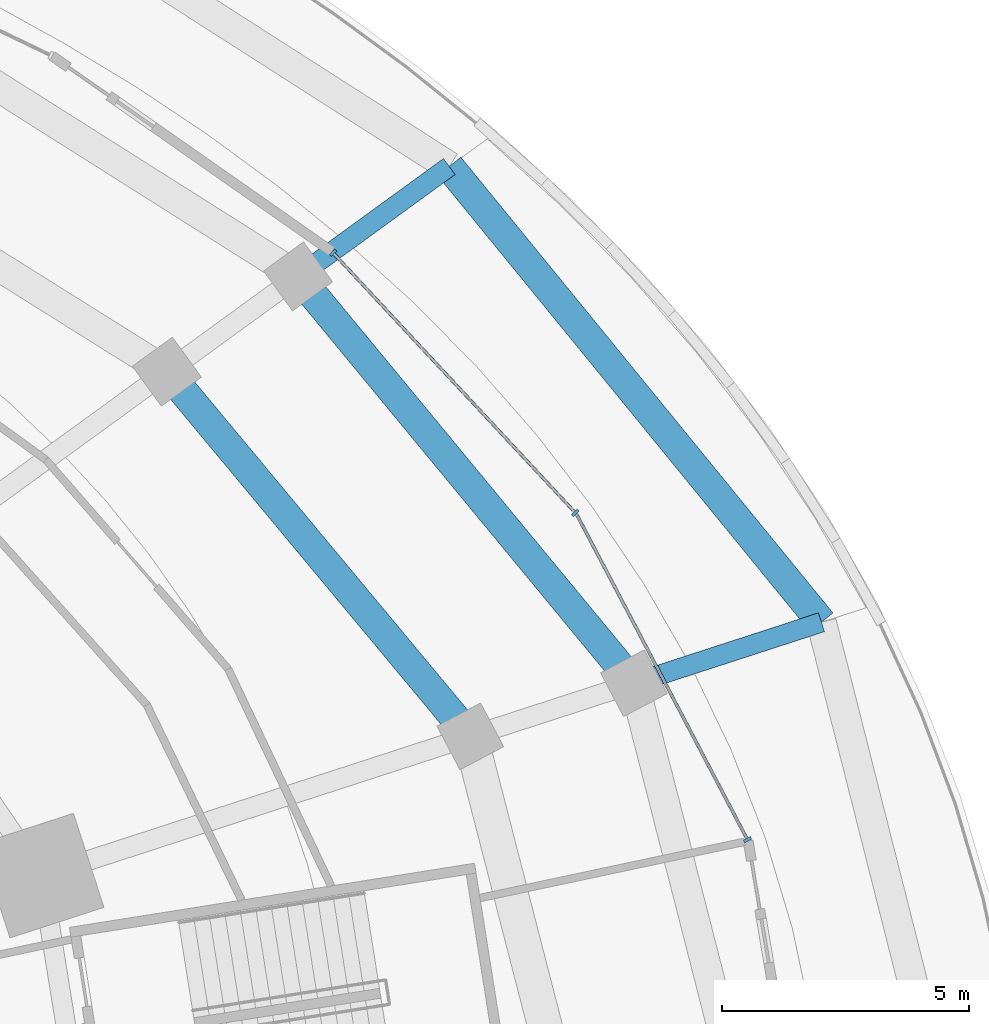
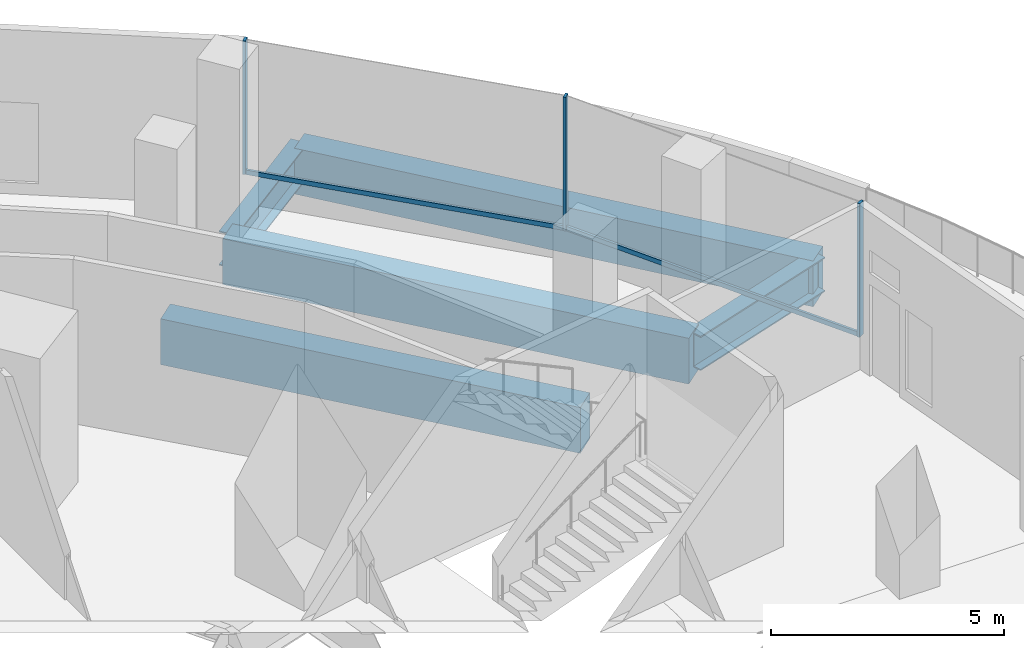
# One storey, part 15 of 27: 5 beams, 5 members, 1 element without a shape of its own.
"""IFC4 building model written with IfcOpenShell, lengths in metres."""

from ifc_helpers import new_model, si_unit, direction, frame, origin, origin_2d, place, context, subcontext, project, spatial, rectangle, i_section, extrude, material, material_profile, profile_set, type_object, element, aggregate, save


model = new_model("IFC4")

# Units and contexts
model_context = context("Model", 3, precision=1e-05, world=origin(), true_north=direction((0.0, 1.0)))
body_context = subcontext(model_context, "Body", "Model", "MODEL_VIEW")
ifc_project = project(units=[si_unit("LENGTHUNIT", "METRE"), si_unit("AREAUNIT", "SQUARE_METRE"), si_unit("VOLUMEUNIT", "CUBIC_METRE"), si_unit("PLANEANGLEUNIT", "RADIAN"), si_unit("MASSUNIT", "GRAM", prefix="KILO")], contexts=[model_context])

# Site, building, storey
site_placement = place(None, origin())
site = spatial("IfcSite", under=ifc_project, at=site_placement, CompositionType="ELEMENT")
building_placement = place(site_placement, origin())
building = spatial("IfcBuilding", under=site, at=building_placement, Name="Marramba Exchange Tower", CompositionType="ELEMENT")
storey_placement = place(building_placement, frame((0.0, 0.0, 10.60009765625)))
storey = spatial("IfcBuildingStorey", under=building, at=storey_placement, Name="L02", CompositionType="ELEMENT", Elevation=10.60009765625)

# Beams
ifc_material_1 = material(Name="Concrete N50", Category="concrete")
ifc_material_profile_1 = material_profile(ifc_material_1, rectangle(XDim=0.60009765625, YDim=1.199951171875, at=origin_2d()), Name="RC 600x1200")
ifc_profile_set_1 = profile_set([ifc_material_profile_1], Name="Concrete N50")
beam_type_1 = type_object("IfcBeamType", Name="Edge beam RC 600x1200 N50", PredefinedType="SPANDREL", material=ifc_profile_set_1)
beam_1_placement = place(storey_placement, frame((36.5888671875, 11.888427734375, -0.85009765625), z_axis=(-0.632507305582, 0.774554393432, 0.0), x_axis=(-0.774554393432, -0.632507305582, 0.0)))
element("IfcBeam", 1, at=beam_1_placement, inside=storey, type_object=beam_type_1, Name="Edge beam L02 P1C02", PredefinedType="SPANDREL", context=body_context, shape_type="SweptSolid", body=[
    extrude(rectangle(XDim=0.60009765625, YDim=1.199951171875, at=origin_2d()), origin(), (0.0, 0.0, 1.0), 11.907470703125),
])
beam_2_placement = place(storey_placement, frame((32.793701171875, 10.6552734375, -0.800048828125), z_axis=(-0.636682264125, 0.77112625072, 0.0), x_axis=(-0.77112625072, -0.636682264125, 0.0)))
element("IfcBeam", 2, at=beam_2_placement, inside=storey, type_object=beam_type_1, Name="Edge beam L02 P2C02", PredefinedType="SPANDREL", context=body_context, shape_type="SweptSolid", body=[
    extrude(rectangle(XDim=0.60009765625, YDim=1.199951171875, at=origin_2d()), origin(), (0.0, 0.0, 1.0), 10.67578125),
])
beam_3_placement = place(storey_placement, frame((29.48193359375, 9.579345703125, -0.800048828125), z_axis=(-0.639553814052, 0.768746329377, 0.0), x_axis=(-0.768746329377, -0.639553814052, 0.0)))
element("IfcBeam", 3, at=beam_3_placement, inside=storey, type_object=beam_type_1, Name="Edge beam L02 P3C02", PredefinedType="SPANDREL", context=body_context, shape_type="SweptSolid", body=[
    extrude(rectangle(XDim=0.60009765625, YDim=1.199951171875, at=origin_2d()), origin(), (0.0, 0.0, 1.0), 9.599853515625),
])

# Curtain wall, members
ifc_material_2 = material(Name="Aluminium framing, bronze anodised", Category="aluminium")
curtain_wall_type = type_object("IfcCurtainWallType", Name="Podium ribbon curtain wall", PredefinedType="USERDEFINED", material=ifc_material_2)
curtain_wall_placement = place(storey_placement, origin())
curtain_wall = element("IfcCurtainWall", 4, at=curtain_wall_placement, inside=storey, type_object=curtain_wall_type, Name="Curtain wall CW2 L02 F02-F03", ObjectType="RIBBON CURTAIN WALL", PredefinedType="USERDEFINED")
ifc_material_3 = material(Name="Aluminium mullion, bronze anodised", Category="aluminium")
ifc_material_profile_2 = material_profile(ifc_material_3, rectangle(XDim=0.159912109375, YDim=0.06005859375, at=origin_2d()), Name="CW2 mullion 60x160")
ifc_profile_set_2 = profile_set([ifc_material_profile_2], Name="Aluminium mullion, bronze anodised")
member_type_1 = type_object("IfcMemberType", Name="Podium ribbon curtain wall mullion", PredefinedType="MULLION", material=ifc_profile_set_2)
member_1_placement = place(storey_placement, frame((35.09130859375, 7.48828125, 0.7998046875), z_axis=(0.0, 0.0, 1.0), x_axis=(-0.885353208693, -0.464919020753, 0.0)))
member_1 = element("IfcMember", 5, at=member_1_placement, type_object=member_type_1, Name="CW2 mullion 1", PredefinedType="MULLION", context=body_context, shape_type="SweptSolid", body=[
    extrude(rectangle(XDim=0.159912109375, YDim=0.06005859375, at=origin_2d()), origin(), (0.0, 0.0, 1.0), 3.5),
])
member_2_placement = place(storey_placement, frame((31.6083984375, 14.10400390625, 0.7998046875), z_axis=(0.0, 0.0, 1.0), x_axis=(-0.731529842705, -0.681809422956, 0.0)))
member_2 = element("IfcMember", 6, at=member_2_placement, type_object=member_type_1, Name="CW2 mullion 1", PredefinedType="MULLION", context=body_context, shape_type="SweptSolid", body=[
    extrude(rectangle(XDim=0.159912109375, YDim=0.06005859375, at=origin_2d()), origin(), (0.0, 0.0, 1.0), 3.5),
])
member_3_placement = place(storey_placement, frame((26.70458984375, 19.365234375, 0.7998046875), z_axis=(0.0, 0.0, 1.0), x_axis=(-0.731529842705, -0.681809422956, 0.0)))
member_3 = element("IfcMember", 7, at=member_3_placement, type_object=member_type_1, Name="CW2 mullion 2", PredefinedType="MULLION", context=body_context, shape_type="SweptSolid", body=[
    extrude(rectangle(XDim=0.159912109375, YDim=0.06005859375, at=origin_2d()), origin(), (0.0, 0.0, 1.0), 3.5),
])
ifc_material_4 = material(Name="Aluminium transom, bronze anodised", Category="aluminium")
ifc_material_profile_3 = material_profile(ifc_material_4, rectangle(XDim=0.06005859375, YDim=0.1201171875, at=origin_2d()), Name="CW2 transom 60x120")
ifc_profile_set_3 = profile_set([ifc_material_profile_3], Name="Aluminium transom, bronze anodised")
member_type_2 = type_object("IfcMemberType", Name="Podium ribbon curtain wall transom", PredefinedType="USERDEFINED", material=ifc_profile_set_3)
member_4_placement = place(storey_placement, frame((35.077392578125, 7.514892578125, 0.829833984375), z_axis=(-0.464911949287, 0.885356922044, 0.0), x_axis=(-0.885356922044, -0.464911949287, 0.0)))
member_4 = element("IfcMember", 8, at=member_4_placement, type_object=member_type_2, Name="CW2 sill transom", ObjectType="TRANSOM", PredefinedType="USERDEFINED", context=body_context, shape_type="SweptSolid", body=[
    extrude(rectangle(XDim=0.06005859375, YDim=0.1201171875, at=origin_2d()), origin(), (0.0, 0.0, 1.0), 7.41748046875),
])
member_5_placement = place(storey_placement, frame((31.587890625, 14.1259765625, 0.829833984375), z_axis=(-0.681818038037, 0.731521813077, 0.0), x_axis=(-0.731521813077, -0.681818038037, 0.0)))
member_5 = element("IfcMember", 9, at=member_5_placement, type_object=member_type_2, Name="CW2 sill transom", ObjectType="TRANSOM", PredefinedType="USERDEFINED", context=body_context, shape_type="SweptSolid", body=[
    extrude(rectangle(XDim=0.06005859375, YDim=0.1201171875, at=origin_2d()), origin(), (0.0, 0.0, 1.0), 7.132080078125),
])
aggregate(curtain_wall, [member_1, member_4, member_2, member_3, member_5])

# Beams
ifc_material_5 = material(Name="Steel AS/NZS 3679.2 grade 300", Category="steel")
ifc_material_profile_4 = material_profile(ifc_material_5, i_section(OverallWidth=0.39990234375, OverallDepth=0.89990234375, WebThickness=0.01611328125, FlangeThickness=0.031982421875, at=origin_2d()), Name="900WB282")
ifc_profile_set_4 = profile_set([ifc_material_profile_4], Name="Steel AS/NZS 3679.2 grade 300")
beam_type_2 = type_object("IfcBeamType", Name="Radial girder 900WB282", PredefinedType="BEAM", material=ifc_profile_set_4)
beam_4_placement = place(storey_placement, frame((36.5888671875, 11.888427734375, -0.7001953125), z_axis=(-0.951054298871, -0.309023818822, 0.0), x_axis=(0.309023818822, -0.951054298871, 0.0)))
element("IfcBeam", 10, at=beam_4_placement, inside=storey, type_object=beam_type_2, Name="Radial girder L02 P1C02", PredefinedType="BEAM", context=body_context, shape_type="SweptSolid", body=[
    extrude(i_section(OverallWidth=0.39990234375, OverallDepth=0.89990234375, WebThickness=0.01611328125, FlangeThickness=0.031982421875, at=origin_2d()), origin(), (0.0, 0.0, 1.0), 3.990478515625),
])
beam_5_placement = place(storey_placement, frame((29.057373046875, 21.111328125, -0.7001953125), z_axis=(-0.809037359893, -0.58775722054, 0.0), x_axis=(0.58775722054, -0.809037359893, 0.0)))
element("IfcBeam", 11, at=beam_5_placement, inside=storey, type_object=beam_type_2, Name="Radial girder L02 P1C03", PredefinedType="BEAM", context=body_context, shape_type="SweptSolid", body=[
    extrude(i_section(OverallWidth=0.39990234375, OverallDepth=0.89990234375, WebThickness=0.01611328125, FlangeThickness=0.031982421875, at=origin_2d()), origin(), (0.0, 0.0, 1.0), 3.783203125),
])

save(model, "model.ifc")
